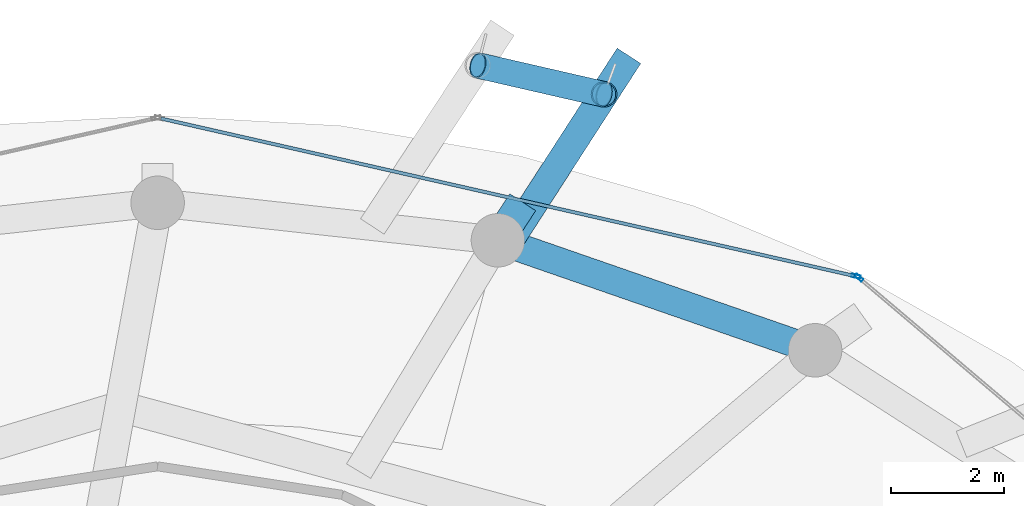
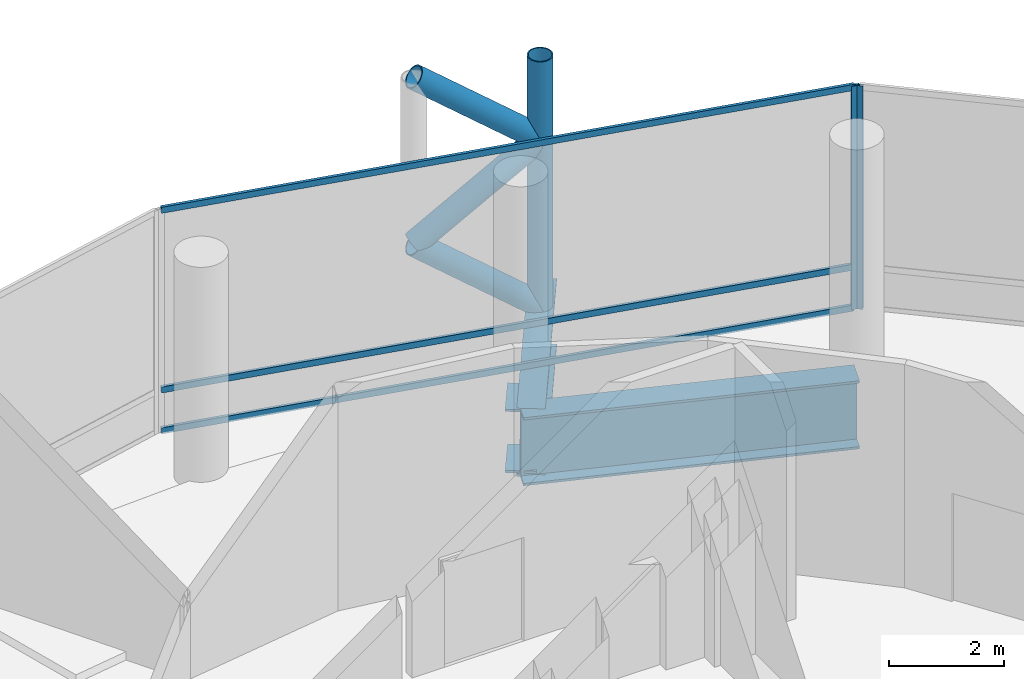
# One storey, part 20 of 29: 9 members, 3 beams, 2 elements without a shape of their own.
"""IFC4 building model written with IfcOpenShell, lengths in metres."""

from ifc_helpers import new_model, si_unit, direction, frame, origin, origin_2d, place, context, subcontext, project, spatial, hollow_rectangle, hollow_circle, i_section, extrude, material, layer, layer_set, material_profile, profile_set, type_object, element, aggregate, save


model = new_model("IFC4")

# Units and contexts
model_context = context("Model", 3, precision=1e-05, world=origin(), true_north=direction((0.0, 1.0)))
body_context = subcontext(model_context, "Body", "Model", "MODEL_VIEW")
ifc_project = project(units=[si_unit("LENGTHUNIT", "METRE"), si_unit("AREAUNIT", "SQUARE_METRE"), si_unit("VOLUMEUNIT", "CUBIC_METRE"), si_unit("PLANEANGLEUNIT", "RADIAN"), si_unit("MASSUNIT", "GRAM", prefix="KILO")], contexts=[model_context])

# Site, building, storey
site_placement = place(None, origin())
site = spatial("IfcSite", under=ifc_project, at=site_placement, CompositionType="ELEMENT")
building_placement = place(site_placement, origin())
building = spatial("IfcBuilding", under=site, at=building_placement, Name="Nuhasar Tower", CompositionType="ELEMENT")
storey_placement = place(building_placement, frame((0.0, 0.0, 113.25)))
storey = spatial("IfcBuildingStorey", under=building, at=storey_placement, Name="L26", CompositionType="ELEMENT", Elevation=113.25)

# Beams
ifc_material_1 = material(Name="Steel S460", Category="steel")
ifc_material_profile_1 = material_profile(ifc_material_1, i_section(OverallWidth=0.550048828125, OverallDepth=1.35009765625, WebThickness=0.028076171875, FlangeThickness=0.050048828125, at=origin_2d()), Name="PG1350X550")
ifc_profile_set_1 = profile_set([ifc_material_profile_1], Name="Steel S460")
beam_type_1 = type_object("IfcBeamType", Name="BM-XFER-PG1350", PredefinedType="USERDEFINED", material=ifc_profile_set_1)
beam_1_placement = place(storey_placement, frame((45.04296875, 45.68408203125, -0.9951171875), z_axis=(0.545445760903, 0.838146122053, 0.0), x_axis=(-0.838146122053, 0.545445760903, 0.0)))
element("IfcBeam", 1, at=beam_1_placement, inside=storey, type_object=beam_type_1, Name="L26 Outer Column Step Transfer Girder 06", ObjectType="GIRDER", PredefinedType="USERDEFINED", context=body_context, shape_type="SweptSolid", body=[
    extrude(i_section(OverallWidth=0.550048828125, OverallDepth=1.35009765625, WebThickness=0.028076171875, FlangeThickness=0.050048828125, at=origin_2d()), origin(), (0.0, 0.0, 1.0), 0.806640625),
])
ifc_material_profile_2 = material_profile(ifc_material_1, i_section(OverallWidth=0.5, OverallDepth=1.449951171875, WebThickness=0.028076171875, FlangeThickness=0.050048828125, at=origin_2d()), Name="PG1450X500")
ifc_profile_set_2 = profile_set([ifc_material_profile_2], Name="Steel S460")
beam_type_2 = type_object("IfcBeamType", Name="BM-XFER-PG1450", PredefinedType="USERDEFINED", material=ifc_profile_set_2)
beam_2_placement = place(storey_placement, frame((50.675048828125, 43.73095703125, -1.044921875), z_axis=(-0.944801380051, 0.327643636066, 0.0), x_axis=(-0.327643636066, -0.944801380051, 0.0)))
element("IfcBeam", 2, at=beam_2_placement, inside=storey, type_object=beam_type_2, Name="L26 Perimeter Ring Spandrel 05", ObjectType="GIRDER", PredefinedType="USERDEFINED", context=body_context, shape_type="SweptSolid", body=[
    extrude(i_section(OverallWidth=0.5, OverallDepth=1.449951171875, WebThickness=0.028076171875, FlangeThickness=0.050048828125, at=origin_2d()), origin(), (0.0, 0.0, 1.0), 5.961181640625),
])
beam_3_placement = place(storey_placement, frame((45.215087890625, 45.6240234375, -1.044921875), z_axis=(0.542626647009, 0.839974000762, 0.0), x_axis=(-0.839974000762, 0.542626647009, 0.0)))
element("IfcBeam", 3, at=beam_3_placement, inside=storey, type_object=beam_type_2, Name="L26 Exoskeleton Step Transfer Girder 05", ObjectType="GIRDER", PredefinedType="USERDEFINED", context=body_context, shape_type="SweptSolid", body=[
    extrude(i_section(OverallWidth=0.5, OverallDepth=1.449951171875, WebThickness=0.028076171875, FlangeThickness=0.050048828125, at=origin_2d()), origin(), (0.0, 0.0, 1.0), 3.971435546875),
])

# Curtain wall, member
ifc_material_2 = material(Name="Aluminium 6063-T6", Category="aluminium")
ifc_layer = layer(ifc_material_2, 0.239990234375)
ifc_layer_set = layer_set([ifc_layer], Name="Aluminium 6063-T6")
curtain_wall_type = type_object("IfcCurtainWallType", Name="CW-SKY-LBY", PredefinedType="NOTDEFINED", material=ifc_layer_set)
curtain_wall_1_placement = place(storey_placement, origin())
curtain_wall_1 = element("IfcCurtainWall", 4, at=curtain_wall_1_placement, inside=storey, type_object=curtain_wall_type, Name="L26 Unitised Curtain Wall 02", PredefinedType="NOTDEFINED")
ifc_material_profile_3 = material_profile(ifc_material_2, hollow_rectangle(XDim=0.06005859375, YDim=0.159912109375, WallThickness=0.0048828125, at=origin_2d()), Name="CWM-6")
ifc_profile_set_3 = profile_set([ifc_material_profile_3], Name="Aluminium 6063-T6")
member_type_1 = type_object("IfcMemberType", Name="CW-MUL-S6", PredefinedType="MULLION", material=ifc_profile_set_3)
member_1_placement = place(storey_placement, frame((51.452880859375, 45.0185546875, 0.0), z_axis=(0.0, 0.0, 1.0), x_axis=(-0.646374438324, -0.763020370292, 0.0)))
member_1 = element("IfcMember", 5, at=member_1_placement, type_object=member_type_1, Name="CW-SL mullion 2", PredefinedType="MULLION", context=body_context, shape_type="SweptSolid", body=[
    extrude(hollow_rectangle(XDim=0.06005859375, YDim=0.159912109375, WallThickness=0.0048828125, at=origin_2d()), origin(), (0.0, 0.0, 1.0), 4.75),
])
aggregate(curtain_wall_1, [member_1])

# Curtain wall, members
curtain_wall_2_placement = place(storey_placement, origin())
curtain_wall_2 = element("IfcCurtainWall", 6, at=curtain_wall_2_placement, inside=storey, type_object=curtain_wall_type, Name="L26 Unitised Curtain Wall 03", PredefinedType="NOTDEFINED")
member_2_placement = place(storey_placement, frame((51.400634765625, 45.044677734375, 0.0), z_axis=(0.0, 0.0, 1.0), x_axis=(-0.22139729566, -0.975183694221, 0.0)))
member_2 = element("IfcMember", 7, at=member_2_placement, type_object=member_type_1, Name="CW-SL mullion 1", PredefinedType="MULLION", context=body_context, shape_type="SweptSolid", body=[
    extrude(hollow_rectangle(XDim=0.06005859375, YDim=0.159912109375, WallThickness=0.0048828125, at=origin_2d()), origin(), (0.0, 0.0, 1.0), 4.75),
])
ifc_material_profile_4 = material_profile(ifc_material_2, hollow_rectangle(XDim=0.06005859375, YDim=0.1298828125, WallThickness=0.00439453125, at=origin_2d()), Name="CWT-6")
ifc_profile_set_4 = profile_set([ifc_material_profile_4], Name="Aluminium 6063-T6")
member_type_2 = type_object("IfcMemberType", Name="CW-TRN-S6", PredefinedType="USERDEFINED", material=ifc_profile_set_4)
member_3_placement = place(storey_placement, frame((51.37158203125, 45.05126953125, 0.030029296875), z_axis=(-0.975184113365, 0.221395449459, 0.0), x_axis=(-0.221395449459, -0.975184113365, 0.0)))
member_3 = element("IfcMember", 8, at=member_3_placement, type_object=member_type_2, Name="CW-SL transom 1.1", ObjectType="TRANSOM", PredefinedType="USERDEFINED", context=body_context, shape_type="SweptSolid", body=[
    extrude(hollow_rectangle(XDim=0.06005859375, YDim=0.1298828125, WallThickness=0.00439453125, at=origin_2d()), origin(), (0.0, 0.0, 1.0), 12.626220703125),
])
member_4_placement = place(storey_placement, frame((51.37158203125, 45.05126953125, 0.89990234375), z_axis=(-0.975184113365, 0.221395449459, 0.0), x_axis=(-0.221395449459, -0.975184113365, 0.0)))
member_4 = element("IfcMember", 9, at=member_4_placement, type_object=member_type_2, Name="CW-SL transom 1.2", ObjectType="TRANSOM", PredefinedType="USERDEFINED", context=body_context, shape_type="SweptSolid", body=[
    extrude(hollow_rectangle(XDim=0.06005859375, YDim=0.1298828125, WallThickness=0.00439453125, at=origin_2d()), origin(), (0.0, 0.0, 1.0), 12.626220703125),
])
member_5_placement = place(storey_placement, frame((51.37158203125, 45.05126953125, 4.719970703125), z_axis=(-0.975184113365, 0.221395449459, 0.0), x_axis=(-0.221395449459, -0.975184113365, 0.0)))
member_5 = element("IfcMember", 10, at=member_5_placement, type_object=member_type_2, Name="CW-SL transom 1.3", ObjectType="TRANSOM", PredefinedType="USERDEFINED", context=body_context, shape_type="SweptSolid", body=[
    extrude(hollow_rectangle(XDim=0.06005859375, YDim=0.1298828125, WallThickness=0.00439453125, at=origin_2d()), origin(), (0.0, 0.0, 1.0), 12.626220703125),
])
aggregate(curtain_wall_2, [member_2, member_3, member_4, member_5])

# Members
ifc_material_profile_5 = material_profile(ifc_material_1, hollow_circle(Radius=0.228515625, WallThickness=0.022216796875, at=origin_2d()), Name="HSS457X22.2")
ifc_profile_set_5 = profile_set([ifc_material_profile_5], Name="Steel S460")
member_type_3 = type_object("IfcMemberType", Name="EXO-BRONZE-457", PredefinedType="BRACE", material=ifc_profile_set_5)
member_6_placement = place(storey_placement, frame((46.927978515625, 48.27587890625, -0.320068359375), z_axis=(0.0, 0.0, 1.0), x_axis=(1.0, 0.0, 0.0)))
element("IfcMember", 11, at=member_6_placement, inside=storey, type_object=member_type_3, Name="L26 Exoskeleton Chord Column EC-03A", PredefinedType="BRACE", context=body_context, shape_type="SweptSolid", body=[
    extrude(hollow_circle(Radius=0.228515625, WallThickness=0.022216796875, at=origin_2d()), origin(), (0.0, 0.0, 1.0), 5.320068359375),
])
member_7_placement = place(storey_placement, frame((46.927978515625, 48.27587890625, -0.320068359375), z_axis=(-0.771982281826, 0.177043960092, 0.610490616424), x_axis=(-0.223533724104, -0.974696195842, 0.0)))
element("IfcMember", 12, at=member_7_placement, inside=storey, type_object=member_type_3, Name="L26 Bronze Diagrid Brace W1-03", PredefinedType="BRACE", context=body_context, shape_type="SweptSolid", body=[
    extrude(hollow_circle(Radius=0.228515625, WallThickness=0.022216796875, at=origin_2d()), origin(), (0.0, 0.0, 1.0), 2.904052734375),
])
member_8_placement = place(storey_placement, frame((44.68603515625, 48.7900390625, 1.452880859375), z_axis=(0.771784192361, -0.176998530885, 0.610754189904), x_axis=(0.223533724104, 0.974696195842, 0.0)))
element("IfcMember", 13, at=member_8_placement, inside=storey, type_object=member_type_3, Name="L26 Bronze Diagrid Brace W2-03", PredefinedType="BRACE", context=body_context, shape_type="SweptSolid", body=[
    extrude(hollow_circle(Radius=0.228515625, WallThickness=0.022216796875, at=origin_2d()), origin(), (0.0, 0.0, 1.0), 2.90478515625),
])
member_9_placement = place(storey_placement, frame((46.927978515625, 48.27587890625, 3.22705078125), z_axis=(-0.771982281826, 0.177043960092, 0.610490616424), x_axis=(-0.223533724104, -0.974696195842, 0.0)))
element("IfcMember", 14, at=member_9_placement, inside=storey, type_object=member_type_3, Name="L26 Bronze Diagrid Brace W3-03", PredefinedType="BRACE", context=body_context, shape_type="SweptSolid", body=[
    extrude(hollow_circle(Radius=0.228515625, WallThickness=0.022216796875, at=origin_2d()), origin(), (0.0, 0.0, 1.0), 2.904052734375),
])

save(model, "model.ifc")
